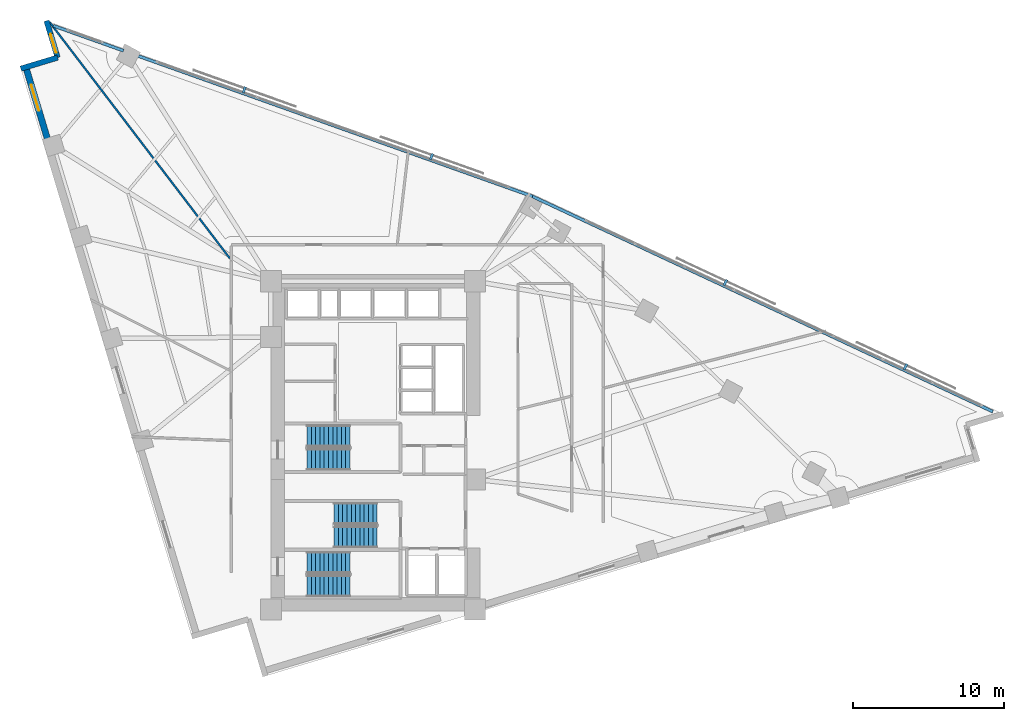
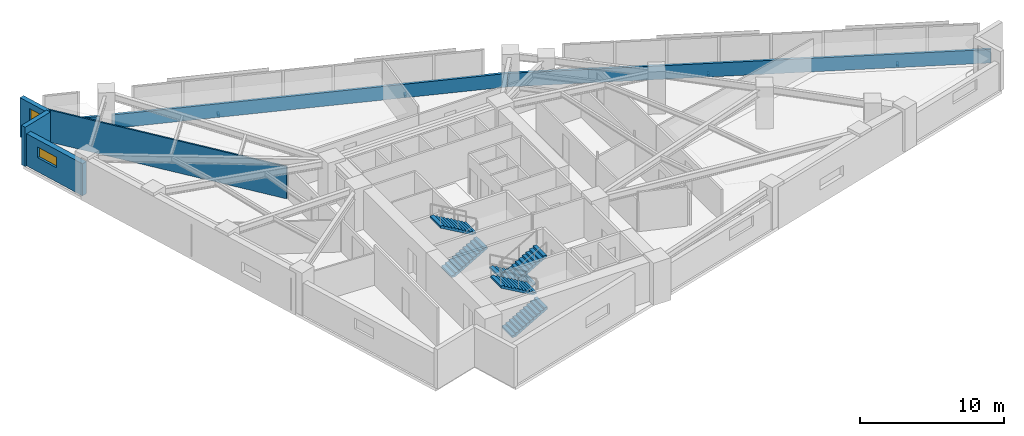
# One storey, part 14 of 16: 7 walls, 6 stair flights, 4 discrete accessories, 2 windows, 2 openings, 3 elements without a shape of their own.
"""IFC4 building model written with IfcOpenShell, lengths in metres."""

from ifc_helpers import new_model, si_unit, direction, frame, frame_2d, origin, origin_2d, place, context, subcontext, project, spatial, polyline, rectangle, outline, extrude, material, layer, layer_set, type_object, element, fill, aggregate, save


model = new_model("IFC4")

# Units and contexts
model_context = context("Model", 3, precision=1e-05, world=origin(), true_north=direction((0.0, 1.0)))
body_context = subcontext(model_context, "Body", "Model", "MODEL_VIEW")
ifc_project = project(units=[si_unit("LENGTHUNIT", "METRE"), si_unit("AREAUNIT", "SQUARE_METRE"), si_unit("VOLUMEUNIT", "CUBIC_METRE"), si_unit("PLANEANGLEUNIT", "RADIAN"), si_unit("MASSUNIT", "GRAM", prefix="KILO")], contexts=[model_context])

# Site, building, storey
site_placement = place(None, origin())
site = spatial("IfcSite", under=ifc_project, at=site_placement, CompositionType="ELEMENT")
building_placement = place(site_placement, origin())
building = spatial("IfcBuilding", under=site, at=building_placement, Name="Narakoshi Arena Tower", CompositionType="ELEMENT")
storey_placement = place(building_placement, frame((0.0, 0.0, 150.300048828125)))
storey = spatial("IfcBuildingStorey", under=building, at=storey_placement, Name="L40", CompositionType="ELEMENT", Elevation=150.300048828125)

# Walls
ifc_material_1 = material(Name="Precast concrete C45/55", Category="concrete")
ifc_layer_1 = layer(ifc_material_1, 0.25)
ifc_layer_set_1 = layer_set([ifc_layer_1], Name="Precast concrete C45/55")
wall_type_1 = type_object("IfcWallType", Name="WL-PARA-250", PredefinedType="PARAPET", material=ifc_layer_set_1)
wall_1_placement = place(storey_placement, frame((119.92578125, 47.843017578125, 0.0), z_axis=(0.0, 0.0, 1.0), x_axis=(-0.905880730846, 0.423532881228, 0.0)))
element("IfcWall", 1, at=wall_1_placement, inside=storey, type_object=wall_type_1, Name="L40 Hypotenuse Sill Upstand Parapet 1-01", PredefinedType="PARAPET", context=body_context, shape_type="SweptSolid", body=[
    extrude(rectangle(XDim=33.74755859375, YDim=0.199951171875, at=frame_2d((16.873779296875, 0.0))), origin(), (0.0, 0.0, 1.0), 1.14990234375),
])
wall_2_placement = place(storey_placement, frame((89.368408203125, 62.13037109375, 0.0), z_axis=(0.0, 0.0, 1.0), x_axis=(-0.942033439765, 0.335518998515, 0.0)))
element("IfcWall", 2, at=wall_2_placement, inside=storey, type_object=wall_type_1, Name="L40 Hypotenuse Sill Upstand Parapet 2-01", PredefinedType="PARAPET", context=body_context, shape_type="SweptSolid", body=[
    extrude(rectangle(XDim=27.969482421875, YDim=0.199951171875, at=frame_2d((13.98486328125, 0.0))), origin(), (0.0, 0.0, 1.0), 1.14990234375),
])
wall_3_placement = place(storey_placement, frame((62.2177734375, 71.800537109375, 0.0), z_axis=(0.0, 0.0, 1.0), x_axis=(-0.942038862895, 0.335503771655, 0.0)))
element("IfcWall", 3, at=wall_3_placement, inside=storey, type_object=wall_type_1, Name="L40 Hypotenuse Sill Upstand Parapet 2-02", PredefinedType="PARAPET", context=body_context, shape_type="SweptSolid", body=[
    extrude(rectangle(XDim=4.941650390625, YDim=0.199951171875, at=frame_2d((2.470703125, 0.0))), origin(), (0.0, 0.0, 1.0), 1.14990234375),
])
ifc_material_2 = material(Name="Gypsum plasterboard fire-rated partition")
ifc_layer_2 = layer(ifc_material_2, 0.125)
ifc_layer_set_2 = layer_set([ifc_layer_2], Name="Gypsum plasterboard fire-rated partition")
wall_type_2 = type_object("IfcWallType", Name="WL-PART-125", PredefinedType="PARTITIONING", material=ifc_layer_set_2)
wall_4_placement = place(storey_placement, frame((69.28173828125, 58.0107421875, 0.0), z_axis=(0.0, 0.0, 1.0), x_axis=(-0.606526214548, 0.795063488702, 0.0)))
element("IfcWall", 4, at=wall_4_placement, inside=storey, type_object=wall_type_2, Name="L40 Inter-Room Partition 07-08", PredefinedType="PARTITIONING", context=body_context, shape_type="SweptSolid", body=[
    extrude(rectangle(XDim=19.76318359375, YDim=0.125, at=frame_2d((9.881591796875, 0.0))), origin(), (0.0, 0.0, 1.0), 2.724853515625),
])

# Wall, opening, window
ifc_layer_3 = layer(ifc_material_1, 0.419921875)
ifc_layer_set_3 = layer_set([ifc_layer_3], Name="Precast concrete C45/55")
wall_type_3 = type_object("IfcWallType", Name="WL-POD-420", PredefinedType="SOLIDWALL", material=ifc_layer_set_3)
wall_5_placement = place(storey_placement, frame((55.734130859375, 70.71142578125, 0.0), z_axis=(0.0, 0.0, 1.0), x_axis=(0.288221590884, -0.957563739157, 0.0)))
wall_5 = element("IfcWall", 5, at=wall_5_placement, inside=storey, type_object=wall_type_3, Name="L40 Architectural Concrete Facade Wall LEGB-1", PredefinedType="SOLIDWALL", context=body_context, shape_type="SweptSolid", body=[
    extrude(rectangle(XDim=5.510986328125, YDim=0.419921875, at=frame_2d((2.75537109375, 0.0))), origin(), (0.0, 0.0, 1.0), 2.724853515625),
])
opening_1_placement = place(wall_5_placement, frame((1.223388671875, 0.0, 1.199951171875)))
opening_1 = element("IfcOpeningElement", 6, at=opening_1_placement, cuts=wall_5, Name="Opening WN-02", PredefinedType="OPENING", context=body_context, shape_type="SweptSolid", body=[
    extrude(rectangle(XDim=1.800048828125, YDim=0.89990234375, at=frame_2d((0.89990234375, 0.449951171875))), frame((0.0, 0.219970703125, 0.0), z_axis=(0.0, -1.0, 0.0), x_axis=(1.0, 0.0, 0.0)), (0.0, 0.0, 1.0), 0.43994140625),
])
ifc_material_3 = material(Name="Bronze-tinted low-E laminated glass", Category="glass")
window_type_1 = type_object("IfcWindowType", Name="WIN-SLT-18x09", PartitioningType="SINGLE_PANEL", PredefinedType="WINDOW", material=ifc_material_3)
window_1_placement = place(opening_1_placement, origin())
window_1 = element("IfcWindow", 7, at=window_1_placement, inside=storey, type_object=window_type_1, Name="L40 LEGB1 Horizontal Slot Window 1", OverallHeight=0.89990234375, OverallWidth=1.800048828125, PartitioningType="SINGLE_PANEL", PredefinedType="WINDOW", context=body_context, shape_type="SweptSolid", body=[
    extrude(rectangle(XDim=1.800048828125, YDim=0.89990234375, at=frame_2d((0.89990234375, 0.449951171875))), frame((0.0, 0.030029296875, 0.0), z_axis=(0.0, -1.0, 0.0), x_axis=(1.0, 0.0, 0.0)), (0.0, 0.0, 1.0), 0.06005859375),
])
fill(opening_1, window_1)

wall_6_placement = place(storey_placement, frame((57.107666015625, 73.790283203125, 0.0), z_axis=(0.0, 0.0, 1.0), x_axis=(0.288198985694, -0.957570542908, 0.0)))
wall_6 = element("IfcWall", 8, at=wall_6_placement, inside=storey, type_object=wall_type_3, Name="L40 Re-Entrant Corner Notch Wall NTN-1", PredefinedType="SOLIDWALL", context=body_context, shape_type="SweptSolid", body=[
    extrude(rectangle(XDim=2.552490234375, YDim=0.360107421875, at=frame_2d((1.2763671875, 0.0))), origin(), (0.0, 0.0, 1.0), 3.33984375),
])
opening_2_placement = place(wall_6_placement, frame((0.91259765625, 0.0, 0.449951171875)))
opening_2 = element("IfcOpeningElement", 9, at=opening_2_placement, cuts=wall_6, Name="Opening WN-06", PredefinedType="OPENING", context=body_context, shape_type="SweptSolid", body=[
    extrude(rectangle(XDim=1.300048828125, YDim=2.39990234375, at=frame_2d((0.64990234375, 1.199951171875))), frame((0.0, 0.18994140625, 0.0), z_axis=(0.0, -1.0, 0.0), x_axis=(1.0, 0.0, 0.0)), (0.0, 0.0, 1.0), 0.380126953125),
])
window_type_2 = type_object("IfcWindowType", Name="WIN-NTC-16x24", PartitioningType="SINGLE_PANEL", PredefinedType="WINDOW", material=ifc_material_3)
window_2_placement = place(opening_2_placement, origin())
window_2 = element("IfcWindow", 10, at=window_2_placement, inside=storey, type_object=window_type_2, Name="L40 Corner Notch Window NTN", OverallHeight=2.39990234375, OverallWidth=1.300048828125, PartitioningType="SINGLE_PANEL", PredefinedType="WINDOW", context=body_context, shape_type="SweptSolid", body=[
    extrude(rectangle(XDim=1.300048828125, YDim=2.39990234375, at=frame_2d((0.64990234375, 1.199951171875))), frame((0.0, 0.030029296875, 0.0), z_axis=(0.0, -1.0, 0.0), x_axis=(1.0, 0.0, 0.0)), (0.0, 0.0, 1.0), 0.06005859375),
])
fill(opening_2, window_2)

# Wall
wall_7_placement = place(storey_placement, frame((57.84326171875, 71.34619140625, 0.0), z_axis=(0.0, 0.0, 1.0), x_axis=(-0.95757848653, -0.288172590882, 0.0)))
element("IfcWall", 11, at=wall_7_placement, inside=storey, type_object=wall_type_3, Name="L40 Re-Entrant Corner Notch Wall NTN-2", PredefinedType="SOLIDWALL", context=body_context, shape_type="SweptSolid", body=[
    extrude(rectangle(XDim=2.552734375, YDim=0.360107421875, at=frame_2d((1.2763671875, 0.0))), origin(), (0.0, 0.0, 1.0), 3.33984375),
])

# Stair, stair flights
ifc_material_4 = material(Name="Concrete C45/55", Category="concrete")
stair_type = type_object("IfcStairType", Name="STR-CORE-360", PredefinedType="TWO_STRAIGHT_RUN_STAIR", material=ifc_material_4)
stair_1_placement = place(storey_placement, origin())
stair_1 = element("IfcStair", 12, at=stair_1_placement, inside=storey, type_object=stair_type, Name="L40 Core Escape Stair ST1", PredefinedType="TWO_STRAIGHT_RUN_STAIR")
stair_flight_type = type_object("IfcStairFlightType", Name="FLT-145-160", PredefinedType="STRAIGHT", material=ifc_material_1)
stair_flight_1_placement = place(storey_placement, frame((74.39990234375, 36.27490234375, 0.0), z_axis=(0.0, 0.0, 1.0), x_axis=(1.0, 0.0, 0.0)))
stair_flight_1 = element("IfcStairFlight", 13, at=stair_flight_1_placement, type_object=stair_flight_type, Name="ST1 flight 1", NumberOfRisers=11, NumberOfTreads=10, PredefinedType="STRAIGHT", RiserHeight=0.163636364, TreadLength=0.285, context=body_context, shape_type="SweptSolid", body=[
    extrude(outline(polyline([(0.0, 0.0), (0.0, 0.16357421875), (0.284912109375, 0.16357421875), (0.284912109375, 0.327392578125), (0.570068359375, 0.327392578125), (0.570068359375, 0.490966796875), (0.85498046875, 0.490966796875), (0.85498046875, 0.654541015625), (1.139892578125, 0.654541015625), (1.139892578125, 0.818115234375), (1.425048828125, 0.818115234375), (1.425048828125, 0.98193359375), (1.7099609375, 0.98193359375), (1.7099609375, 1.1455078125), (1.9951171875, 1.1455078125), (1.9951171875, 1.30908203125), (2.280029296875, 1.30908203125), (2.280029296875, 1.47265625), (2.56494140625, 1.47265625), (2.56494140625, 1.636474609375), (2.85009765625, 1.636474609375), (2.85009765625, 1.800048828125), (2.85009765625, 1.463623046875), (0.301025390625, 0.0), (0.0, 0.0)])), frame((0.0, 0.72509765625, 0.0), z_axis=(0.0, -1.0, 0.0), x_axis=(1.0, 0.0, 0.0)), (0.0, 0.0, 1.0), 1.449951171875),
])
stair_flight_2_placement = place(storey_placement, frame((77.25, 37.824951171875, 1.800048828125), z_axis=(0.0, 0.0, 1.0), x_axis=(-1.0, 0.0, 0.0)))
stair_flight_2 = element("IfcStairFlight", 14, at=stair_flight_2_placement, type_object=stair_flight_type, Name="ST1 flight 2", NumberOfRisers=11, NumberOfTreads=10, PredefinedType="STRAIGHT", RiserHeight=0.163636364, TreadLength=0.285, context=body_context, shape_type="SweptSolid", body=[
    extrude(outline(polyline([(0.0, 0.0), (0.0, 0.16357421875), (0.284912109375, 0.16357421875), (0.284912109375, 0.327392578125), (0.570068359375, 0.327392578125), (0.570068359375, 0.490966796875), (0.85498046875, 0.490966796875), (0.85498046875, 0.654541015625), (1.139892578125, 0.654541015625), (1.139892578125, 0.818115234375), (1.425048828125, 0.818115234375), (1.425048828125, 0.98193359375), (1.7099609375, 0.98193359375), (1.7099609375, 1.1455078125), (1.9951171875, 1.1455078125), (1.9951171875, 1.30908203125), (2.280029296875, 1.30908203125), (2.280029296875, 1.47265625), (2.56494140625, 1.47265625), (2.56494140625, 1.636474609375), (2.85009765625, 1.636474609375), (2.85009765625, 1.800048828125), (2.85009765625, 1.463623046875), (0.301025390625, 0.0), (0.0, 0.0)])), frame((0.0, 0.72509765625, 0.0), z_axis=(0.0, -1.0, 0.0), x_axis=(1.0, 0.0, 0.0)), (0.0, 0.0, 1.0), 1.449951171875),
])
aggregate(stair_1, [stair_flight_1, stair_flight_2])

stair_2_placement = place(storey_placement, origin())
stair_2 = element("IfcStair", 15, at=stair_2_placement, inside=storey, type_object=stair_type, Name="L40 Core Escape Stair ST2", PredefinedType="TWO_STRAIGHT_RUN_STAIR")
stair_flight_3_placement = place(storey_placement, frame((79.050048828125, 41.074951171875, 0.0), z_axis=(0.0, 0.0, 1.0), x_axis=(-1.0, 0.0, 0.0)))
stair_flight_3 = element("IfcStairFlight", 16, at=stair_flight_3_placement, type_object=stair_flight_type, Name="ST2 flight 1", NumberOfRisers=11, NumberOfTreads=10, PredefinedType="STRAIGHT", RiserHeight=0.163636364, TreadLength=0.285, context=body_context, shape_type="SweptSolid", body=[
    extrude(outline(polyline([(0.0, 0.0), (0.0, 0.16357421875), (0.284912109375, 0.16357421875), (0.284912109375, 0.327392578125), (0.570068359375, 0.327392578125), (0.570068359375, 0.490966796875), (0.85498046875, 0.490966796875), (0.85498046875, 0.654541015625), (1.139892578125, 0.654541015625), (1.139892578125, 0.818115234375), (1.425048828125, 0.818115234375), (1.425048828125, 0.98193359375), (1.7099609375, 0.98193359375), (1.7099609375, 1.1455078125), (1.9951171875, 1.1455078125), (1.9951171875, 1.30908203125), (2.280029296875, 1.30908203125), (2.280029296875, 1.47265625), (2.56494140625, 1.47265625), (2.56494140625, 1.636474609375), (2.85009765625, 1.636474609375), (2.85009765625, 1.800048828125), (2.85009765625, 1.463623046875), (0.301025390625, 0.0), (0.0, 0.0)])), frame((0.0, 0.72509765625, 0.0), z_axis=(0.0, -1.0, 0.0), x_axis=(1.0, 0.0, 0.0)), (0.0, 0.0, 1.0), 1.449951171875),
])
stair_flight_4_placement = place(storey_placement, frame((76.199951171875, 39.52490234375, 1.800048828125), z_axis=(0.0, 0.0, 1.0), x_axis=(1.0, 0.0, 0.0)))
stair_flight_4 = element("IfcStairFlight", 17, at=stair_flight_4_placement, type_object=stair_flight_type, Name="ST2 flight 2", NumberOfRisers=11, NumberOfTreads=10, PredefinedType="STRAIGHT", RiserHeight=0.163636364, TreadLength=0.285, context=body_context, shape_type="SweptSolid", body=[
    extrude(outline(polyline([(0.0, 0.0), (0.0, 0.16357421875), (0.284912109375, 0.16357421875), (0.284912109375, 0.327392578125), (0.570068359375, 0.327392578125), (0.570068359375, 0.490966796875), (0.85498046875, 0.490966796875), (0.85498046875, 0.654541015625), (1.139892578125, 0.654541015625), (1.139892578125, 0.818115234375), (1.425048828125, 0.818115234375), (1.425048828125, 0.98193359375), (1.7099609375, 0.98193359375), (1.7099609375, 1.1455078125), (1.9951171875, 1.1455078125), (1.9951171875, 1.30908203125), (2.280029296875, 1.30908203125), (2.280029296875, 1.47265625), (2.56494140625, 1.47265625), (2.56494140625, 1.636474609375), (2.85009765625, 1.636474609375), (2.85009765625, 1.800048828125), (2.85009765625, 1.463623046875), (0.301025390625, 0.0), (0.0, 0.0)])), frame((0.0, 0.72509765625, 0.0), z_axis=(0.0, -1.0, 0.0), x_axis=(1.0, 0.0, 0.0)), (0.0, 0.0, 1.0), 1.449951171875),
])
aggregate(stair_2, [stair_flight_3, stair_flight_4])

stair_3_placement = place(storey_placement, origin())
stair_3 = element("IfcStair", 18, at=stair_3_placement, inside=storey, type_object=stair_type, Name="L40 Core Escape Stair ST3", PredefinedType="TWO_STRAIGHT_RUN_STAIR")
stair_flight_5_placement = place(storey_placement, frame((74.39990234375, 44.675048828125, 0.0), z_axis=(0.0, 0.0, 1.0), x_axis=(1.0, 0.0, 0.0)))
stair_flight_5 = element("IfcStairFlight", 19, at=stair_flight_5_placement, type_object=stair_flight_type, Name="ST3 flight 1", NumberOfRisers=11, NumberOfTreads=10, PredefinedType="STRAIGHT", RiserHeight=0.163636364, TreadLength=0.285, context=body_context, shape_type="SweptSolid", body=[
    extrude(outline(polyline([(0.0, 0.0), (0.0, 0.16357421875), (0.284912109375, 0.16357421875), (0.284912109375, 0.327392578125), (0.570068359375, 0.327392578125), (0.570068359375, 0.490966796875), (0.85498046875, 0.490966796875), (0.85498046875, 0.654541015625), (1.139892578125, 0.654541015625), (1.139892578125, 0.818115234375), (1.425048828125, 0.818115234375), (1.425048828125, 0.98193359375), (1.7099609375, 0.98193359375), (1.7099609375, 1.1455078125), (1.9951171875, 1.1455078125), (1.9951171875, 1.30908203125), (2.280029296875, 1.30908203125), (2.280029296875, 1.47265625), (2.56494140625, 1.47265625), (2.56494140625, 1.636474609375), (2.85009765625, 1.636474609375), (2.85009765625, 1.800048828125), (2.85009765625, 1.463623046875), (0.301025390625, 0.0), (0.0, 0.0)])), frame((0.0, 0.72509765625, 0.0), z_axis=(0.0, -1.0, 0.0), x_axis=(1.0, 0.0, 0.0)), (0.0, 0.0, 1.0), 1.449951171875),
])
stair_flight_6_placement = place(storey_placement, frame((77.25, 46.22509765625, 1.800048828125), z_axis=(0.0, 0.0, 1.0), x_axis=(-1.0, 0.0, 0.0)))
stair_flight_6 = element("IfcStairFlight", 20, at=stair_flight_6_placement, type_object=stair_flight_type, Name="ST3 flight 2", NumberOfRisers=11, NumberOfTreads=10, PredefinedType="STRAIGHT", RiserHeight=0.163636364, TreadLength=0.285, context=body_context, shape_type="SweptSolid", body=[
    extrude(outline(polyline([(0.0, 0.0), (0.0, 0.16357421875), (0.284912109375, 0.16357421875), (0.284912109375, 0.327392578125), (0.570068359375, 0.327392578125), (0.570068359375, 0.490966796875), (0.85498046875, 0.490966796875), (0.85498046875, 0.654541015625), (1.139892578125, 0.654541015625), (1.139892578125, 0.818115234375), (1.425048828125, 0.818115234375), (1.425048828125, 0.98193359375), (1.7099609375, 0.98193359375), (1.7099609375, 1.1455078125), (1.9951171875, 1.1455078125), (1.9951171875, 1.30908203125), (2.280029296875, 1.30908203125), (2.280029296875, 1.47265625), (2.56494140625, 1.47265625), (2.56494140625, 1.636474609375), (2.85009765625, 1.636474609375), (2.85009765625, 1.800048828125), (2.85009765625, 1.463623046875), (0.301025390625, 0.0), (0.0, 0.0)])), frame((0.0, 0.72509765625, 0.0), z_axis=(0.0, -1.0, 0.0), x_axis=(1.0, 0.0, 0.0)), (0.0, 0.0, 1.0), 1.449951171875),
])
aggregate(stair_3, [stair_flight_5, stair_flight_6])

# Discrete accessories
ifc_material_5 = material(Name="Structural steel S355J2", Category="steel")
discrete_accessory_type = type_object("IfcDiscreteAccessoryType", Name="ACC-BRK-SCR", PredefinedType="BRACKET", material=ifc_material_5)
for number, where, z_axis, x_axis, name in (
    (21, (114.129150390625, 50.818115234375, -0.080078125), (0.0, 0.0, 1.0), (-0.9058795101, 0.423535492234, 0.0), "L40 Solar Screen Support Bracket SHD-L40-SCR1-1"),
    (22, (102.17138671875, 56.40869140625, -0.080078125), (0.0, 0.0, 1.0), (-0.9058795101, 0.423535492234, 0.0), "L40 Solar Screen Support Bracket SHD-L40-SCR1-2"),
    (23, (82.66650390625, 64.772216796875, -0.080078125), (0.0, 0.0, 1.0), (-0.942034031554, 0.33551733695, 0.0), "L40 Solar Screen Support Bracket SHD-L40-SCR2-1"),
    (24, (70.231689453125, 69.200927734375, -0.080078125), (0.0, 0.0, 1.0), (-0.942034031554, 0.33551733695, 0.0), "L40 Solar Screen Support Bracket SHD-L40-SCR2-2"),
):
    element("IfcDiscreteAccessory", number, at=place(storey_placement, frame(where, z_axis=z_axis, x_axis=x_axis)), inside=storey, type_object=discrete_accessory_type, Name=name, PredefinedType="BRACKET", context=body_context, shape_type="SweptSolid", body=[
        extrude(rectangle(XDim=0.159912109375, YDim=0.425048828125, at=origin_2d()), origin(), (0.0, 0.0, 1.0), 0.199951171875),
    ])

save(model, "model.ifc")
